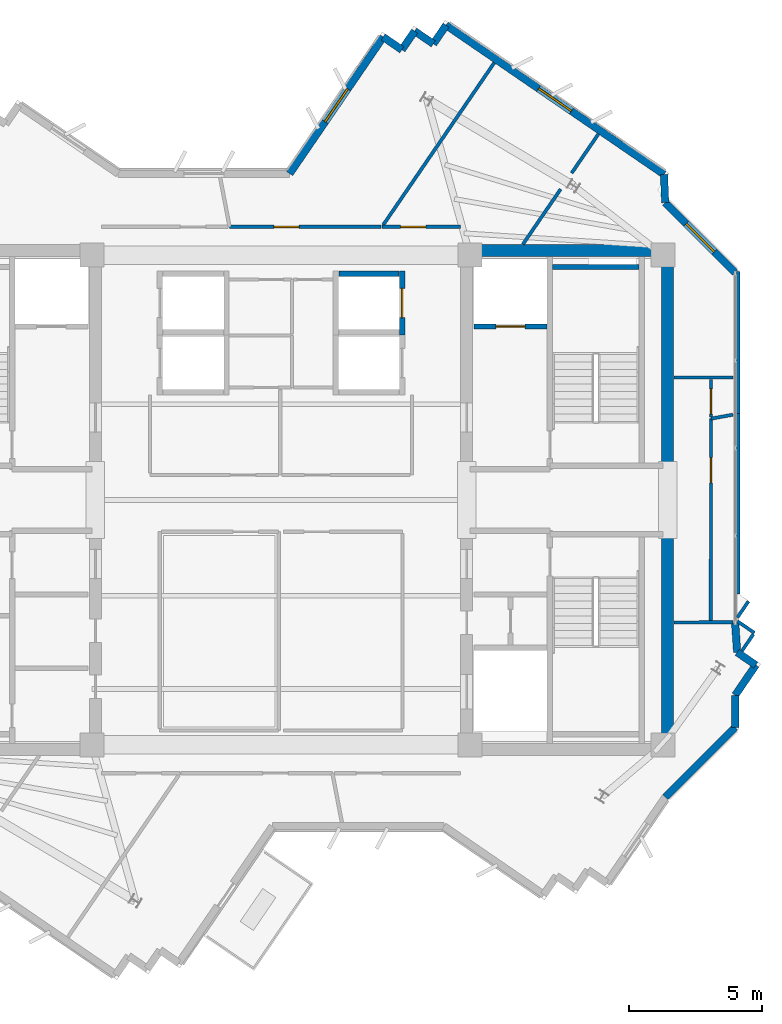
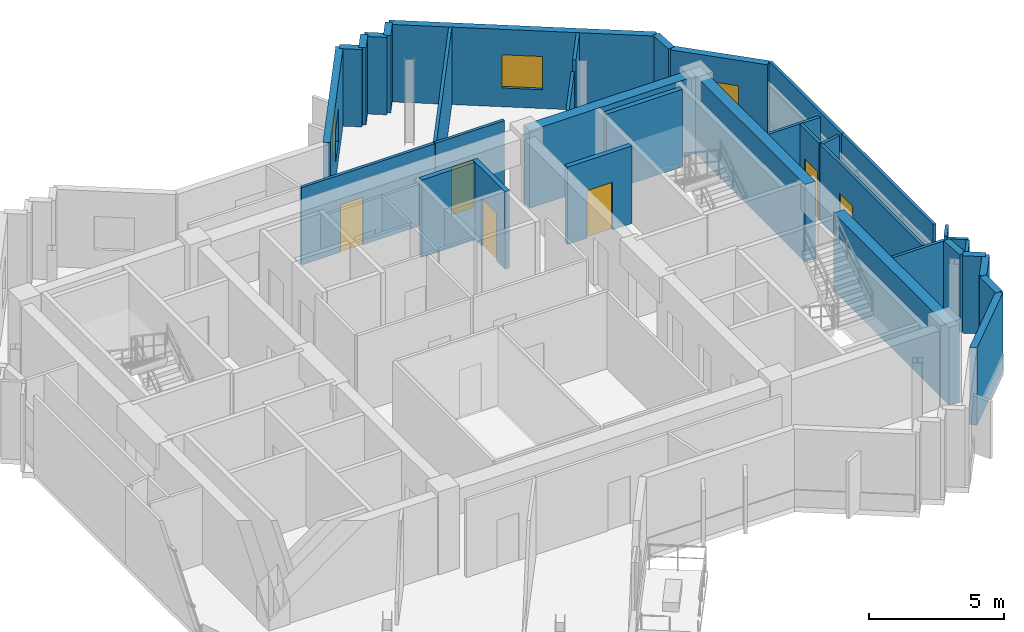
# One storey, part 8 of 11: 35 walls, 6 doors, 3 windows, 9 openings.
"""IFC4 building model written with IfcOpenShell, lengths in metres."""

from ifc_helpers import new_model, si_unit, direction, frame, frame_2d, origin, place, context, subcontext, project, spatial, rectangle, extrude, source, transform, mapped, material, layer, layer_set, type_object, element, fill, save


model = new_model("IFC4")

# Units and contexts
model_context = context("Model", 3, precision=1e-05, world=origin(), true_north=direction((0.0, 1.0)))
body_context = subcontext(model_context, "Body", "Model", "MODEL_VIEW")
ifc_project = project(units=[si_unit("LENGTHUNIT", "METRE"), si_unit("AREAUNIT", "SQUARE_METRE"), si_unit("VOLUMEUNIT", "CUBIC_METRE"), si_unit("PLANEANGLEUNIT", "RADIAN"), si_unit("MASSUNIT", "GRAM", prefix="KILO")], contexts=[model_context])

# Site, building, storey
site_placement = place(None, origin())
site = spatial("IfcSite", under=ifc_project, at=site_placement, CompositionType="ELEMENT")
building_placement = place(site_placement, origin())
building = spatial("IfcBuilding", under=site, at=building_placement, Name="Zahravan Cultural Tower", CompositionType="ELEMENT")
storey_placement = place(building_placement, frame((0.0, 0.0, 331.050048828125)))
storey = spatial("IfcBuildingStorey", under=building, at=storey_placement, Name="L80", CompositionType="ELEMENT", Elevation=331.050048828125)

# Wall, opening, window
ifc_material_1 = material(Name="Precast concrete C40/50", Category="concrete")
ifc_layer_1 = layer(ifc_material_1, 0.280029296875)
ifc_layer_set_1 = layer_set([ifc_layer_1], Name="Precast concrete C40/50")
wall_type_1 = type_object("IfcWallType", Name="EW-TC-280", PredefinedType="SOLIDWALL", material=ifc_layer_set_1)
wall_1_placement = place(storey_placement, frame((36.322998046875, 39.260009765625, 0.0), z_axis=(0.0, 0.0, 1.0), x_axis=(0.564953982519, 0.825122413728, 0.0)))
wall_1 = element("IfcWall", 1, at=wall_1_placement, inside=storey, type_object=wall_type_1, Name="L80 Exterior Masonry Frame Wall 14", PredefinedType="SOLIDWALL", context=body_context, shape_type="SweptSolid", body=[
    extrude(rectangle(XDim=6.221435546875, YDim=0.280029296875, at=frame_2d((3.11083984375, 0.0))), origin(), (0.0, 0.0, 1.0), 3.5),
])
opening_1_placement = place(wall_1_placement, frame((2.361083984375, 0.0, 0.85009765625)))
opening_1 = element("IfcOpeningElement", 2, at=opening_1_placement, cuts=wall_1, Name="Opening WN-03", PredefinedType="OPENING", context=body_context, shape_type="SweptSolid", body=[
    extrude(rectangle(XDim=1.5, YDim=1.5, at=frame_2d((0.75, 0.75))), frame((0.0, 0.14990234375, 0.0), z_axis=(0.0, -1.0, 0.0), x_axis=(1.0, 0.0, 0.0)), (0.0, 0.0, 1.0), 0.300048828125),
])
ifc_material_2 = material(Name="Low-E solar-control double glazing", Category="glass")
window_type = type_object("IfcWindowType", Name="WN-REC-1500X1500", PartitioningType="SINGLE_PANEL", PredefinedType="WINDOW", material=ifc_material_2)
shared_shape_1 = source(origin(), body_context, "Body", "SweptSolid", [
    extrude(rectangle(XDim=1.5, YDim=1.5, at=frame_2d((0.75, 0.75))), frame((0.0, 0.030029296875, 0.0), z_axis=(0.0, -1.0, 0.0), x_axis=(1.0, 0.0, 0.0)), (0.0, 0.0, 1.0), 0.06005859375),
])
window_1_placement = place(opening_1_placement, origin())
window_1 = element("IfcWindow", 3, at=window_1_placement, inside=storey, type_object=window_type, Name="L80 Recessed Solar Window 05", OverallHeight=1.5, OverallWidth=1.5, PartitioningType="SINGLE_PANEL", PredefinedType="WINDOW", context=body_context, shape_type="MappedRepresentation", body=[
    mapped(shared_shape_1, transform((0.0, 0.0, 0.0), x_axis=(1.0, 0.0, 0.0), y_axis=(0.0, 1.0, 0.0), z_axis=(0.0, 0.0, 1.0), scale=1.0)),
])
fill(opening_1, window_1)

wall_2_placement = place(storey_placement, frame((42.201171875, 44.835693359375, 0.0), z_axis=(0.0, 0.0, 1.0), x_axis=(0.825121888295, -0.56495474992, 0.0)))
wall_2 = element("IfcWall", 4, at=wall_2_placement, inside=storey, type_object=wall_type_1, Name="L80 Exterior Masonry Frame Wall 19", PredefinedType="SOLIDWALL", context=body_context, shape_type="SweptSolid", body=[
    extrude(rectangle(XDim=9.919921875, YDim=0.280029296875, at=frame_2d((4.9599609375, 0.0))), origin(), (0.0, 0.0, 1.0), 3.5),
])
opening_2_placement = place(wall_2_placement, frame((4.2099609375, 0.0, 0.85009765625)))
opening_2 = element("IfcOpeningElement", 5, at=opening_2_placement, cuts=wall_2, Name="Opening WN-03", PredefinedType="OPENING", context=body_context, shape_type="SweptSolid", body=[
    extrude(rectangle(XDim=1.5, YDim=1.5, at=frame_2d((0.75, 0.75))), frame((0.0, 0.14990234375, 0.0), z_axis=(0.0, -1.0, 0.0), x_axis=(1.0, 0.0, 0.0)), (0.0, 0.0, 1.0), 0.300048828125),
])
window_2_placement = place(opening_2_placement, origin())
window_2 = element("IfcWindow", 6, at=window_2_placement, inside=storey, type_object=window_type, Name="L80 Recessed Solar Window 06", OverallHeight=1.5, OverallWidth=1.5, PartitioningType="SINGLE_PANEL", PredefinedType="WINDOW", context=body_context, shape_type="MappedRepresentation", body=[
    mapped(shared_shape_1, transform((0.0, 0.0, 0.0), x_axis=(1.0, 0.0, 0.0), y_axis=(0.0, 1.0, 0.0), z_axis=(0.0, 0.0, 1.0), scale=1.0)),
])
fill(opening_2, window_2)

wall_3_placement = place(storey_placement, frame((50.432373046875, 38.169677734375, 0.0), z_axis=(0.0, 0.0, 1.0), x_axis=(0.707106781187, -0.707106781187, 0.0)))
wall_3 = element("IfcWall", 7, at=wall_3_placement, inside=storey, type_object=wall_type_1, Name="L80 Exterior Masonry Frame Wall 21", PredefinedType="SOLIDWALL", context=body_context, shape_type="SweptSolid", body=[
    extrude(rectangle(XDim=3.716064453125, YDim=0.280029296875, at=frame_2d((1.85791015625, 0.0))), origin(), (0.0, 0.0, 1.0), 3.5),
])
opening_3_placement = place(wall_3_placement, frame((1.10791015625, 0.0, 0.85009765625)))
opening_3 = element("IfcOpeningElement", 8, at=opening_3_placement, cuts=wall_3, Name="Opening WN-03", PredefinedType="OPENING", context=body_context, shape_type="SweptSolid", body=[
    extrude(rectangle(XDim=1.5, YDim=1.5, at=frame_2d((0.75, 0.75))), frame((0.0, 0.14990234375, 0.0), z_axis=(0.0, -1.0, 0.0), x_axis=(1.0, 0.0, 0.0)), (0.0, 0.0, 1.0), 0.300048828125),
])
window_3_placement = place(opening_3_placement, origin())
window_3 = element("IfcWindow", 9, at=window_3_placement, inside=storey, type_object=window_type, Name="L80 Recessed Solar Window 07", OverallHeight=1.5, OverallWidth=1.5, PartitioningType="SINGLE_PANEL", PredefinedType="WINDOW", context=body_context, shape_type="MappedRepresentation", body=[
    mapped(shared_shape_1, transform((0.0, 0.0, 0.0), x_axis=(1.0, 0.0, 0.0), y_axis=(0.0, 1.0, 0.0), z_axis=(0.0, 0.0, 1.0), scale=1.0)),
])
fill(opening_3, window_3)

# Wall, opening, door
ifc_material_3 = material(Name="Gypsum plasterboard partition")
ifc_layer_2 = layer(ifc_material_3, 0.125)
ifc_layer_set_2 = layer_set([ifc_layer_2], Name="Gypsum plasterboard partition")
wall_type_2 = type_object("IfcWallType", Name="W-PART-125", PredefinedType="PARTITIONING", material=ifc_layer_set_2)
wall_4_placement = place(storey_placement, frame((52.1474609375, 22.469970703125, 0.0), z_axis=(0.0, 0.0, 1.0), x_axis=(0.000321874581, 0.999999948198, 0.0)))
wall_4 = element("IfcWall", 10, at=wall_4_placement, inside=storey, type_object=wall_type_2, Name="L80 Interior Wall 056", PredefinedType="PARTITIONING", context=body_context, shape_type="SweptSolid", body=[
    extrude(rectangle(XDim=7.5849609375, YDim=0.125, at=frame_2d((3.79248046875, 0.0))), origin(), (0.0, 0.0, 1.0), 3.5),
])
opening_4_placement = place(wall_4_placement, frame((5.17529296875, 0.0, 0.0)))
opening_4 = element("IfcOpeningElement", 11, at=opening_4_placement, cuts=wall_4, Name="Opening D-L80-29", PredefinedType="OPENING", context=body_context, shape_type="SweptSolid", body=[
    extrude(rectangle(XDim=0.949951171875, YDim=2.14990234375, at=frame_2d((0.47509765625, 1.074951171875))), frame((0.0, 0.072509765625, 0.0), z_axis=(0.0, -1.0, 0.0), x_axis=(1.0, 0.0, 0.0)), (0.0, 0.0, 1.0), 0.14501953125),
])
ifc_material_4 = material(Name="Anodised bronze-aluminium mullion", Category="aluminium")
door_type_1 = type_object("IfcDoorType", Name="DR-ROOM-950", OperationType="NOTDEFINED", PredefinedType="DOOR", material=ifc_material_4)
shared_shape_2 = source(origin(), body_context, "Body", "SweptSolid", [
    extrude(rectangle(XDim=0.949951171875, YDim=2.14990234375, at=frame_2d((0.47509765625, 1.074951171875))), frame((0.0, 0.02490234375, 0.0), z_axis=(0.0, -1.0, 0.0), x_axis=(1.0, 0.0, 0.0)), (0.0, 0.0, 1.0), 0.050048828125),
])
door_1_placement = place(opening_4_placement, origin())
door_1 = element("IfcDoor", 12, at=door_1_placement, inside=storey, type_object=door_type_1, Name="L80 Door D-L80-29", OperationType="SINGLE_SWING_RIGHT", OverallHeight=2.14990234375, OverallWidth=0.949951171875, PredefinedType="DOOR", context=body_context, shape_type="MappedRepresentation", body=[
    mapped(shared_shape_2, transform((0.0, 0.0, 0.0), x_axis=(1.0, 0.0, 0.0), y_axis=(0.0, 1.0, 0.0), z_axis=(0.0, 0.0, 1.0), scale=1.0)),
])
fill(opening_4, door_1)

wall_5_placement = place(storey_placement, frame((52.14990234375, 30.12353515625, 0.0), z_axis=(0.0, 0.0, 1.0), x_axis=(-0.000520201074, 0.999999864695, 0.0)))
wall_5 = element("IfcWall", 13, at=wall_5_placement, inside=storey, type_object=wall_type_2, Name="L80 Interior Wall 078", PredefinedType="PARTITIONING", context=body_context, shape_type="SweptSolid", body=[
    extrude(rectangle(XDim=1.407958984375, YDim=0.125, at=frame_2d((0.7041015625, 0.0))), origin(), (0.0, 0.0, 1.0), 3.5),
])
opening_5_placement = place(wall_5_placement, frame((0.100830078125, 0.0, 0.0)))
opening_5 = element("IfcOpeningElement", 14, at=opening_5_placement, cuts=wall_5, Name="Opening D-L80-20", PredefinedType="OPENING", context=body_context, shape_type="SweptSolid", body=[
    extrude(rectangle(XDim=0.949951171875, YDim=2.14990234375, at=frame_2d((0.47509765625, 1.074951171875))), frame((0.0, 0.072509765625, 0.0), z_axis=(0.0, -1.0, 0.0), x_axis=(1.0, 0.0, 0.0)), (0.0, 0.0, 1.0), 0.14501953125),
])
door_2_placement = place(opening_5_placement, origin())
door_2 = element("IfcDoor", 15, at=door_2_placement, inside=storey, type_object=door_type_1, Name="L80 Door D-L80-20", OperationType="SINGLE_SWING_LEFT", OverallHeight=2.14990234375, OverallWidth=0.949951171875, PredefinedType="DOOR", context=body_context, shape_type="MappedRepresentation", body=[
    mapped(shared_shape_2, transform((0.0, 0.0, 0.0), x_axis=(1.0, 0.0, 0.0), y_axis=(0.0, 1.0, 0.0), z_axis=(0.0, 0.0, 1.0), scale=1.0)),
])
fill(opening_5, door_2)

wall_6_placement = place(storey_placement, frame((42.742431640625, 37.259765625, 0.0), z_axis=(0.0, 0.0, 1.0), x_axis=(-0.999999996583, 8.2671957e-05, 0.0)))
wall_6 = element("IfcWall", 16, at=wall_6_placement, inside=storey, type_object=wall_type_2, Name="L80 Interior Wall 079", PredefinedType="PARTITIONING", context=body_context, shape_type="SweptSolid", body=[
    extrude(rectangle(XDim=2.953125, YDim=0.125, at=frame_2d((1.4765625, 0.0))), origin(), (0.0, 0.0, 1.0), 3.5),
])
opening_6_placement = place(wall_6_placement, frame((1.302001953125, 0.0, 0.0)))
opening_6 = element("IfcOpeningElement", 17, at=opening_6_placement, cuts=wall_6, Name="Opening D-L80-21", PredefinedType="OPENING", context=body_context, shape_type="SweptSolid", body=[
    extrude(rectangle(XDim=0.949951171875, YDim=2.14990234375, at=frame_2d((0.47509765625, 1.074951171875))), frame((0.0, 0.072509765625, 0.0), z_axis=(0.0, -1.0, 0.0), x_axis=(1.0, 0.0, 0.0)), (0.0, 0.0, 1.0), 0.14501953125),
])
door_3_placement = place(opening_6_placement, origin())
door_3 = element("IfcDoor", 18, at=door_3_placement, inside=storey, type_object=door_type_1, Name="L80 Door D-L80-21", OperationType="SINGLE_SWING_RIGHT", OverallHeight=2.14990234375, OverallWidth=0.949951171875, PredefinedType="DOOR", context=body_context, shape_type="MappedRepresentation", body=[
    mapped(shared_shape_2, transform((0.0, 0.0, 0.0), x_axis=(1.0, 0.0, 0.0), y_axis=(0.0, 1.0, 0.0), z_axis=(0.0, 0.0, 1.0), scale=1.0)),
])
fill(opening_6, door_3)

wall_7_placement = place(storey_placement, frame((39.764892578125, 37.260009765625, 0.0), z_axis=(0.0, 0.0, 1.0), x_axis=(-1.0, 0.0, 0.0)))
wall_7 = element("IfcWall", 19, at=wall_7_placement, inside=storey, type_object=wall_type_2, Name="L80 Interior Wall 090", PredefinedType="PARTITIONING", context=body_context, shape_type="SweptSolid", body=[
    extrude(rectangle(XDim=5.696044921875, YDim=0.125, at=frame_2d((2.84814453125, 0.0))), origin(), (0.0, 0.0, 1.0), 3.5),
])
opening_7_placement = place(wall_7_placement, frame((3.0849609375, 0.0, 0.0)))
opening_7 = element("IfcOpeningElement", 20, at=opening_7_placement, cuts=wall_7, Name="Opening D-L80-22", PredefinedType="OPENING", context=body_context, shape_type="SweptSolid", body=[
    extrude(rectangle(XDim=0.949951171875, YDim=2.14990234375, at=frame_2d((0.47509765625, 1.074951171875))), frame((0.0, 0.072509765625, 0.0), z_axis=(0.0, -1.0, 0.0), x_axis=(1.0, 0.0, 0.0)), (0.0, 0.0, 1.0), 0.14501953125),
])
door_4_placement = place(opening_7_placement, origin())
door_4 = element("IfcDoor", 21, at=door_4_placement, inside=storey, type_object=door_type_1, Name="L80 Door D-L80-22", OperationType="SINGLE_SWING_LEFT", OverallHeight=2.14990234375, OverallWidth=0.949951171875, PredefinedType="DOOR", context=body_context, shape_type="MappedRepresentation", body=[
    mapped(shared_shape_2, transform((0.0, 0.0, 0.0), x_axis=(1.0, 0.0, 0.0), y_axis=(0.0, 1.0, 0.0), z_axis=(0.0, 0.0, 1.0), scale=1.0)),
])
fill(opening_7, door_4)

ifc_material_5 = material(Name="Concrete C45/55", Category="concrete")
ifc_layer_3 = layer(ifc_material_5, 0.199951171875)
ifc_layer_set_3 = layer_set([ifc_layer_3], Name="Concrete C45/55")
wall_type_3 = type_object("IfcWallType", Name="W-SHAFT-200", PredefinedType="SOLIDWALL", material=ifc_layer_set_3)
wall_8_placement = place(storey_placement, frame((43.25, 33.52001953125, 0.0), z_axis=(0.0, 0.0, 1.0), x_axis=(1.0, 0.0, 0.0)))
wall_8 = element("IfcWall", 22, at=wall_8_placement, inside=storey, type_object=wall_type_3, Name="L80 Interior Wall 023", PredefinedType="SOLIDWALL", context=body_context, shape_type="SweptSolid", body=[
    extrude(rectangle(XDim=2.75, YDim=0.199951171875, at=frame_2d((1.375, 0.0))), origin(), (0.0, 0.0, 1.0), 3.5),
])
opening_8_placement = place(wall_8_placement, frame((0.820068359375, 0.0, 0.0)))
opening_8 = element("IfcOpeningElement", 23, at=opening_8_placement, cuts=wall_8, Name="Opening LD-L80-02", PredefinedType="OPENING", context=body_context, shape_type="SweptSolid", body=[
    extrude(rectangle(XDim=1.10009765625, YDim=2.14990234375, at=frame_2d((0.550048828125, 1.074951171875))), frame((0.0, 0.10986328125, 0.0), z_axis=(0.0, -1.0, 0.0), x_axis=(1.0, 0.0, 0.0)), (0.0, 0.0, 1.0), 0.219970703125),
])
ifc_material_6 = material(Name="Steel ASTM A572 Grade 50", Category="steel")
door_type_2 = type_object("IfcDoorType", Name="DR-LIFT-1100", OperationType="DOUBLE_DOOR_SLIDING", PredefinedType="DOOR", material=ifc_material_6)
shared_shape_3 = source(origin(), body_context, "Body", "SweptSolid", [
    extrude(rectangle(XDim=1.10009765625, YDim=2.14990234375, at=frame_2d((0.550048828125, 1.074951171875))), frame((0.0, 0.02490234375, 0.0), z_axis=(0.0, -1.0, 0.0), x_axis=(1.0, 0.0, 0.0)), (0.0, 0.0, 1.0), 0.050048828125),
])
door_5_placement = place(opening_8_placement, origin())
door_5 = element("IfcDoor", 24, at=door_5_placement, inside=storey, type_object=door_type_2, Name="L80 Door LD-L80-02", OperationType="DOUBLE_DOOR_SLIDING", OverallHeight=2.14990234375, OverallWidth=1.10009765625, PredefinedType="DOOR", context=body_context, shape_type="MappedRepresentation", body=[
    mapped(shared_shape_3, transform((0.0, 0.0, 0.0), x_axis=(1.0, 0.0, 0.0), y_axis=(0.0, 1.0, 0.0), z_axis=(0.0, 0.0, 1.0), scale=1.0)),
])
fill(opening_8, door_5)

wall_9_placement = place(storey_placement, frame((40.550048828125, 33.199951171875, 0.0), z_axis=(0.0, 0.0, 1.0), x_axis=(0.0, 1.0, 0.0)))
wall_9 = element("IfcWall", 25, at=wall_9_placement, inside=storey, type_object=wall_type_3, Name="L80 Interior Wall 037", PredefinedType="SOLIDWALL", context=body_context, shape_type="SweptSolid", body=[
    extrude(rectangle(XDim=2.400146484375, YDim=0.199951171875, at=frame_2d((1.2001953125, 0.0))), origin(), (0.0, 0.0, 1.0), 3.5),
])
opening_9_placement = place(wall_9_placement, frame((0.64990234375, 0.0, 0.0)))
opening_9 = element("IfcOpeningElement", 26, at=opening_9_placement, cuts=wall_9, Name="Opening LD-L80-06", PredefinedType="OPENING", context=body_context, shape_type="SweptSolid", body=[
    extrude(rectangle(XDim=1.10009765625, YDim=2.14990234375, at=frame_2d((0.550048828125, 1.074951171875))), frame((0.0, 0.10986328125, 0.0), z_axis=(0.0, -1.0, 0.0), x_axis=(1.0, 0.0, 0.0)), (0.0, 0.0, 1.0), 0.219970703125),
])
door_6_placement = place(opening_9_placement, origin())
door_6 = element("IfcDoor", 27, at=door_6_placement, inside=storey, type_object=door_type_2, Name="L80 Door LD-L80-06", OperationType="DOUBLE_DOOR_SLIDING", OverallHeight=2.14990234375, OverallWidth=1.10009765625, PredefinedType="DOOR", context=body_context, shape_type="MappedRepresentation", body=[
    mapped(shared_shape_3, transform((0.0, 0.0, 0.0), x_axis=(1.0, 0.0, 0.0), y_axis=(0.0, 1.0, 0.0), z_axis=(0.0, 0.0, 1.0), scale=1.0)),
])
fill(opening_9, door_6)

# Walls
ifc_material_7 = material(Name="Concrete C50/60", Category="concrete")
ifc_layer_4 = layer(ifc_material_7, 0.449951171875)
ifc_layer_set_4 = layer_set([ifc_layer_4], Name="Concrete C50/60")
wall_type_4 = type_object("IfcWallType", Name="CW-SHEAR-450-C50", PredefinedType="SHEAR", material=ifc_layer_set_4)
shared_shape_4 = source(origin(), body_context, "Body", "SweptSolid", [
    extrude(rectangle(XDim=8.550048828125, YDim=0.449951171875, at=frame_2d((4.27490234375, 0.0))), origin(), (0.0, 0.0, 1.0), 3.5),
])
for number, where, z_axis, x_axis, name in (
    (28, (50.52490234375, 17.39990234375, 0.0), (0.0, 0.0, 1.0), (0.0, 1.0, 0.0), "L80 Core Shear Wall CW-E-ES-L80"),
    (29, (50.52490234375, 28.050048828125, 0.0), (0.0, 0.0, 1.0), (0.0, 1.0, 0.0), "L80 Core Shear Wall CW-E-EN-L80"),
):
    element("IfcWall", number, at=place(storey_placement, frame(where, z_axis=z_axis, x_axis=x_axis)), inside=storey, type_object=wall_type_4, Name=name, PredefinedType="SHEAR", context=body_context, shape_type="MappedRepresentation", body=[
        mapped(shared_shape_4, transform((0.0, 0.0, 0.0), x_axis=(1.0, 0.0, 0.0), y_axis=(0.0, 1.0, 0.0), z_axis=(0.0, 0.0, 1.0), scale=1.0)),
    ])
shared_shape_5 = source(origin(), body_context, "Body", "SweptSolid", [
    extrude(rectangle(XDim=7.10009765625, YDim=0.449951171875, at=frame_2d((3.550048828125, 0.0))), origin(), (0.0, 0.0, 1.0), 3.5),
])
wall_10_placement = place(storey_placement, frame((43.199951171875, 36.375, 0.0), z_axis=(0.0, 0.0, 1.0), x_axis=(1.0, 0.0, 0.0)))
element("IfcWall", 30, at=wall_10_placement, inside=storey, type_object=wall_type_4, Name="L80 Core Shear Wall CW-E-N-L80", PredefinedType="SHEAR", context=body_context, shape_type="MappedRepresentation", body=[
    mapped(shared_shape_5, transform((0.0, 0.0, 0.0), x_axis=(1.0, 0.0, 0.0), y_axis=(0.0, 1.0, 0.0), z_axis=(0.0, 0.0, 1.0), scale=1.0)),
])
shared_shape_6 = source(origin(), body_context, "Body", "SweptSolid", [
    extrude(rectangle(XDim=0.85009765625, YDim=0.280029296875, at=frame_2d((0.425048828125, 0.0))), origin(), (0.0, 0.0, 1.0), 3.5),
])
for number, where, z_axis, x_axis, name in (
    (31, (39.837890625, 44.3935546875, 0.0), (0.0, 0.0, 1.0), (0.825138153006, -0.564930994418, 0.0), "L80 Exterior Masonry Frame Wall 15"),
    (32, (40.539306640625, 43.913330078125, 0.0), (0.0, 0.0, 1.0), (0.564930994418, 0.825138153006, 0.0), "L80 Exterior Masonry Frame Wall 16"),
    (33, (41.01953125, 44.61474609375, 0.0), (0.0, 0.0, 1.0), (0.825138153006, -0.564930994418, 0.0), "L80 Exterior Masonry Frame Wall 17"),
):
    element("IfcWall", number, at=place(storey_placement, frame(where, z_axis=z_axis, x_axis=x_axis)), inside=storey, type_object=wall_type_1, Name=name, PredefinedType="SOLIDWALL", context=body_context, shape_type="MappedRepresentation", body=[
        mapped(shared_shape_6, transform((0.0, 0.0, 0.0), x_axis=(1.0, 0.0, 0.0), y_axis=(0.0, 1.0, 0.0), z_axis=(0.0, 0.0, 1.0), scale=1.0)),
    ])
shared_shape_7 = source(origin(), body_context, "Body", "SweptSolid", [
    extrude(rectangle(XDim=0.849853515625, YDim=0.280029296875, at=frame_2d((0.4248046875, 0.0))), origin(), (0.0, 0.0, 1.0), 3.5),
])
for number, where, z_axis, x_axis, name in (
    (34, (41.720947265625, 44.134521484375, 0.0), (0.0, 0.0, 1.0), (0.565064897913, 0.825046459993, 0.0), "L80 Exterior Masonry Frame Wall 18"),
    (35, (53.134521484375, 21.279052734375, 0.0), (0.0, 0.0, 1.0), (0.825046459993, -0.565064897913, 0.0), "L80 Exterior Masonry Frame Wall 23"),
):
    element("IfcWall", number, at=place(storey_placement, frame(where, z_axis=z_axis, x_axis=x_axis)), inside=storey, type_object=wall_type_1, Name=name, PredefinedType="SOLIDWALL", context=body_context, shape_type="MappedRepresentation", body=[
        mapped(shared_shape_7, transform((0.0, 0.0, 0.0), x_axis=(1.0, 0.0, 0.0), y_axis=(0.0, 1.0, 0.0), z_axis=(0.0, 0.0, 1.0), scale=1.0)),
    ])
shared_shape_8 = source(origin(), body_context, "Body", "SweptSolid", [
    extrude(rectangle(XDim=1.08349609375, YDim=0.280029296875, at=frame_2d((0.541748046875, 0.0))), origin(), (0.0, 0.0, 1.0), 3.5),
])
wall_11_placement = place(storey_placement, frame((53.06005859375, 22.360107421875, 0.0), z_axis=(0.0, 0.0, 1.0), x_axis=(0.068717036618, -0.997636190642, 0.0)))
element("IfcWall", 36, at=wall_11_placement, inside=storey, type_object=wall_type_1, Name="L80 Exterior Masonry Frame Wall 22", PredefinedType="SOLIDWALL", context=body_context, shape_type="MappedRepresentation", body=[
    mapped(shared_shape_8, transform((0.0, 0.0, 0.0), x_axis=(1.0, 0.0, 0.0), y_axis=(0.0, 1.0, 0.0), z_axis=(0.0, 0.0, 1.0), scale=1.0)),
])
shared_shape_9 = source(origin(), body_context, "Body", "SweptSolid", [
    extrude(rectangle(XDim=1.373046875, YDim=0.280029296875, at=frame_2d((0.6865234375, 0.0))), origin(), (0.0, 0.0, 1.0), 3.5),
])
wall_12_placement = place(storey_placement, frame((53.835693359375, 20.798828125, 0.0), z_axis=(0.0, 0.0, 1.0), x_axis=(-0.564875120833, -0.825176404088, 0.0)))
element("IfcWall", 37, at=wall_12_placement, inside=storey, type_object=wall_type_1, Name="L80 Exterior Masonry Frame Wall 24", PredefinedType="SOLIDWALL", context=body_context, shape_type="MappedRepresentation", body=[
    mapped(shared_shape_9, transform((0.0, 0.0, 0.0), x_axis=(1.0, 0.0, 0.0), y_axis=(0.0, 1.0, 0.0), z_axis=(0.0, 0.0, 1.0), scale=1.0)),
])
shared_shape_10 = source(origin(), body_context, "Body", "SweptSolid", [
    extrude(rectangle(XDim=1.207763671875, YDim=0.280029296875, at=frame_2d((0.60400390625, 0.0))), origin(), (0.0, 0.0, 1.0), 3.5),
])
wall_13_placement = place(storey_placement, frame((53.06005859375, 19.665771484375, 0.0), z_axis=(0.0, 0.0, 1.0), x_axis=(0.0, -1.0, 0.0)))
element("IfcWall", 38, at=wall_13_placement, inside=storey, type_object=wall_type_1, Name="L80 Exterior Masonry Frame Wall 25", PredefinedType="SOLIDWALL", context=body_context, shape_type="MappedRepresentation", body=[
    mapped(shared_shape_10, transform((0.0, 0.0, 0.0), x_axis=(1.0, 0.0, 0.0), y_axis=(0.0, 1.0, 0.0), z_axis=(0.0, 0.0, 1.0), scale=1.0)),
])
shared_shape_11 = source(origin(), body_context, "Body", "SweptSolid", [
    extrude(rectangle(XDim=3.70947265625, YDim=0.280029296875, at=frame_2d((1.854736328125, 0.0))), origin(), (0.0, 0.0, 1.0), 3.5),
])
wall_14_placement = place(storey_placement, frame((53.06005859375, 18.4580078125, 0.0), z_axis=(0.0, 0.0, 1.0), x_axis=(-0.707106781187, -0.707106781187, 0.0)))
element("IfcWall", 39, at=wall_14_placement, inside=storey, type_object=wall_type_1, Name="L80 Exterior Masonry Frame Wall 26", PredefinedType="SOLIDWALL", context=body_context, shape_type="MappedRepresentation", body=[
    mapped(shared_shape_11, transform((0.0, 0.0, 0.0), x_axis=(1.0, 0.0, 0.0), y_axis=(0.0, 1.0, 0.0), z_axis=(0.0, 0.0, 1.0), scale=1.0)),
])
shared_shape_12 = source(origin(), body_context, "Body", "SweptSolid", [
    extrude(rectangle(XDim=1.062744140625, YDim=0.280029296875, at=frame_2d((0.53125, 0.0))), origin(), (0.0, 0.0, 1.0), 3.5),
])
wall_15_placement = place(storey_placement, frame((50.38623046875, 39.2314453125, 0.0), z_axis=(0.0, 0.0, 1.0), x_axis=(0.043417286211, -0.999057025028, 0.0)))
element("IfcWall", 40, at=wall_15_placement, inside=storey, type_object=wall_type_1, Name="L80 Exterior Masonry Frame Wall 20", PredefinedType="SOLIDWALL", context=body_context, shape_type="MappedRepresentation", body=[
    mapped(shared_shape_12, transform((0.0, 0.0, 0.0), x_axis=(1.0, 0.0, 0.0), y_axis=(0.0, 1.0, 0.0), z_axis=(0.0, 0.0, 1.0), scale=1.0)),
])
shared_shape_13 = source(origin(), body_context, "Body", "SweptSolid", [
    extrude(rectangle(XDim=3.25, YDim=0.199951171875, at=frame_2d((1.625, 0.0))), origin(), (0.0, 0.0, 1.0), 3.5),
])
wall_16_placement = place(storey_placement, frame((46.199951171875, 35.75, 0.0), z_axis=(0.0, 0.0, 1.0), x_axis=(1.0, 0.0, 0.0)))
element("IfcWall", 41, at=wall_16_placement, inside=storey, type_object=wall_type_3, Name="L80 Interior Wall 018", PredefinedType="SOLIDWALL", context=body_context, shape_type="MappedRepresentation", body=[
    mapped(shared_shape_13, transform((0.0, 0.0, 0.0), x_axis=(1.0, 0.0, 0.0), y_axis=(0.0, 1.0, 0.0), z_axis=(0.0, 0.0, 1.0), scale=1.0)),
])
shared_shape_14 = source(origin(), body_context, "Body", "SweptSolid", [
    extrude(rectangle(XDim=2.260009765625, YDim=0.199951171875, at=frame_2d((1.1298828125, 0.0))), origin(), (0.0, 0.0, 1.0), 3.5),
])
wall_17_placement = place(storey_placement, frame((38.169921875, 35.5, 0.0), z_axis=(0.0, 0.0, 1.0), x_axis=(1.0, 0.0, 0.0)))
element("IfcWall", 42, at=wall_17_placement, inside=storey, type_object=wall_type_3, Name="L80 Interior Wall 039", PredefinedType="SOLIDWALL", context=body_context, shape_type="MappedRepresentation", body=[
    mapped(shared_shape_14, transform((0.0, 0.0, 0.0), x_axis=(1.0, 0.0, 0.0), y_axis=(0.0, 1.0, 0.0), z_axis=(0.0, 0.0, 1.0), scale=1.0)),
])
shared_shape_15 = source(origin(), body_context, "Body", "SweptSolid", [
    extrude(rectangle(XDim=2.22265625, YDim=0.125, at=frame_2d((1.111328125, 0.0))), origin(), (0.0, 0.0, 1.0), 3.5),
])
for number, where, z_axis, x_axis, name in (
    (43, (50.7548828125, 22.400146484375, 0.0), (0.0, 0.0, 1.0), (0.999998642665, 0.00164762518, 0.0), "L80 Interior Wall 055"),
    (44, (52.9775390625, 31.598388671875, 0.0), (0.0, 0.0, 1.0), (-0.999999704402, 0.000768892567, 0.0), "L80 Interior Wall 074"),
):
    element("IfcWall", number, at=place(storey_placement, frame(where, z_axis=z_axis, x_axis=x_axis)), inside=storey, type_object=wall_type_2, Name=name, PredefinedType="PARTITIONING", context=body_context, shape_type="MappedRepresentation", body=[
        mapped(shared_shape_15, transform((0.0, 0.0, 0.0), x_axis=(1.0, 0.0, 0.0), y_axis=(0.0, 1.0, 0.0), z_axis=(0.0, 0.0, 1.0), scale=1.0)),
    ])
shared_shape_16 = source(origin(), body_context, "Body", "SweptSolid", [
    extrude(rectangle(XDim=0.8359375, YDim=0.125, at=frame_2d((0.41796875, 0.0))), origin(), (0.0, 0.0, 1.0), 3.5),
])
wall_18_placement = place(storey_placement, frame((52.14990234375, 30.054931640625, 0.0), z_axis=(0.0, 0.0, 1.0), x_axis=(0.983949253333, 0.178448499195, 0.0)))
element("IfcWall", 45, at=wall_18_placement, inside=storey, type_object=wall_type_2, Name="L80 Interior Wall 057", PredefinedType="PARTITIONING", context=body_context, shape_type="MappedRepresentation", body=[
    mapped(shared_shape_16, transform((0.0, 0.0, 0.0), x_axis=(1.0, 0.0, 0.0), y_axis=(0.0, 1.0, 0.0), z_axis=(0.0, 0.0, 1.0), scale=1.0)),
])
shared_shape_17 = source(origin(), body_context, "Body", "SweptSolid", [
    extrude(rectangle(XDim=6.776611328125, YDim=0.125, at=frame_2d((3.38818359375, 0.0))), origin(), (0.0, 0.0, 1.0), 3.5),
])
wall_19_placement = place(storey_placement, frame((53.179931640625, 30.24169921875, 0.0), z_axis=(0.0, 0.0, 1.0), x_axis=(7.2053896e-05, -0.999999997404, 0.0)))
element("IfcWall", 46, at=wall_19_placement, inside=storey, type_object=wall_type_2, Name="L80 Interior Wall 058", PredefinedType="PARTITIONING", context=body_context, shape_type="MappedRepresentation", body=[
    mapped(shared_shape_17, transform((0.0, 0.0, 0.0), x_axis=(1.0, 0.0, 0.0), y_axis=(0.0, 1.0, 0.0), z_axis=(0.0, 0.0, 1.0), scale=1.0)),
])
shared_shape_18 = source(origin(), body_context, "Body", "SweptSolid", [
    extrude(rectangle(XDim=0.738037109375, YDim=0.125, at=frame_2d((0.369140625, 0.0))), origin(), (0.0, 0.0, 1.0), 3.5),
])
wall_20_placement = place(storey_placement, frame((53.560302734375, 23.193115234375, 0.0), z_axis=(0.0, 0.0, 1.0), x_axis=(-0.563069892808, -0.826409278634, 0.0)))
element("IfcWall", 47, at=wall_20_placement, inside=storey, type_object=wall_type_2, Name="L80 Interior Wall 059", PredefinedType="PARTITIONING", context=body_context, shape_type="MappedRepresentation", body=[
    mapped(shared_shape_18, transform((0.0, 0.0, 0.0), x_axis=(1.0, 0.0, 0.0), y_axis=(0.0, 1.0, 0.0), z_axis=(0.0, 0.0, 1.0), scale=1.0)),
])
shared_shape_19 = source(origin(), body_context, "Body", "SweptSolid", [
    extrude(rectangle(XDim=0.7734375, YDim=0.125, at=frame_2d((0.38671875, 0.0))), origin(), (0.0, 0.0, 1.0), 3.5),
])
wall_21_placement = place(storey_placement, frame((53.143310546875, 22.448486328125, 0.0), z_axis=(0.0, 0.0, 1.0), x_axis=(0.825237562889, -0.56478576894, 0.0)))
element("IfcWall", 48, at=wall_21_placement, inside=storey, type_object=wall_type_2, Name="L80 Interior Wall 060", PredefinedType="PARTITIONING", context=body_context, shape_type="MappedRepresentation", body=[
    mapped(shared_shape_19, transform((0.0, 0.0, 0.0), x_axis=(1.0, 0.0, 0.0), y_axis=(0.0, 1.0, 0.0), z_axis=(0.0, 0.0, 1.0), scale=1.0)),
])
shared_shape_20 = source(origin(), body_context, "Body", "SweptSolid", [
    extrude(rectangle(XDim=0.75732421875, YDim=0.125, at=frame_2d((0.378662109375, 0.0))), origin(), (0.0, 0.0, 1.0), 3.5),
])
wall_22_placement = place(storey_placement, frame((53.743408203125, 21.9560546875, 0.0), z_axis=(0.0, 0.0, 1.0), x_axis=(-0.564406554972, -0.825496965896, 0.0)))
element("IfcWall", 49, at=wall_22_placement, inside=storey, type_object=wall_type_2, Name="L80 Interior Wall 061", PredefinedType="PARTITIONING", context=body_context, shape_type="MappedRepresentation", body=[
    mapped(shared_shape_20, transform((0.0, 0.0, 0.0), x_axis=(1.0, 0.0, 0.0), y_axis=(0.0, 1.0, 0.0), z_axis=(0.0, 0.0, 1.0), scale=1.0)),
])
shared_shape_21 = source(origin(), body_context, "Body", "SweptSolid", [
    extrude(rectangle(XDim=2.5107421875, YDim=0.125, at=frame_2d((1.25537109375, 0.0))), origin(), (0.0, 0.0, 1.0), 3.5),
])
wall_23_placement = place(storey_placement, frame((45.08544921875, 36.60498046875, 0.0), z_axis=(0.0, 0.0, 1.0), x_axis=(0.564980194272, 0.825104466162, 0.0)))
element("IfcWall", 50, at=wall_23_placement, inside=storey, type_object=wall_type_2, Name="L80 Interior Wall 075", PredefinedType="PARTITIONING", context=body_context, shape_type="MappedRepresentation", body=[
    mapped(shared_shape_21, transform((0.0, 0.0, 0.0), x_axis=(1.0, 0.0, 0.0), y_axis=(0.0, 1.0, 0.0), z_axis=(0.0, 0.0, 1.0), scale=1.0)),
])
shared_shape_22 = source(origin(), body_context, "Body", "SweptSolid", [
    extrude(rectangle(XDim=1.775146484375, YDim=0.125, at=frame_2d((0.8876953125, 0.0))), origin(), (0.0, 0.0, 1.0), 3.5),
])
wall_24_placement = place(storey_placement, frame((46.916748046875, 39.27978515625, 0.0), z_axis=(0.0, 0.0, 1.0), x_axis=(0.56509798207, 0.825023800057, 0.0)))
element("IfcWall", 51, at=wall_24_placement, inside=storey, type_object=wall_type_2, Name="L80 Interior Wall 076", PredefinedType="PARTITIONING", context=body_context, shape_type="MappedRepresentation", body=[
    mapped(shared_shape_22, transform((0.0, 0.0, 0.0), x_axis=(1.0, 0.0, 0.0), y_axis=(0.0, 1.0, 0.0), z_axis=(0.0, 0.0, 1.0), scale=1.0)),
])
shared_shape_23 = source(origin(), body_context, "Body", "SweptSolid", [
    extrude(rectangle(XDim=5.35009765625, YDim=0.125, at=frame_2d((2.675048828125, 0.0))), origin(), (0.0, 0.0, 1.0), 3.5),
])
wall_25_placement = place(storey_placement, frame((53.179931640625, 35.591796875, 0.0), z_axis=(0.0, 0.0, 1.0), x_axis=(0.0, -1.0, 0.0)))
element("IfcWall", 52, at=wall_25_placement, inside=storey, type_object=wall_type_2, Name="L80 Interior Wall 077", PredefinedType="PARTITIONING", context=body_context, shape_type="MappedRepresentation", body=[
    mapped(shared_shape_23, transform((0.0, 0.0, 0.0), x_axis=(1.0, 0.0, 0.0), y_axis=(0.0, 1.0, 0.0), z_axis=(0.0, 0.0, 1.0), scale=1.0)),
])
shared_shape_24 = source(origin(), body_context, "Body", "SweptSolid", [
    extrude(rectangle(XDim=7.386962890625, YDim=0.125, at=frame_2d((3.693359375, 0.0))), origin(), (0.0, 0.0, 1.0), 3.5),
])
wall_26_placement = place(storey_placement, frame((39.83544921875, 37.327392578125, 0.0), z_axis=(0.0, 0.0, 1.0), x_axis=(0.564969427755, 0.8251118383, 0.0)))
element("IfcWall", 53, at=wall_26_placement, inside=storey, type_object=wall_type_2, Name="L80 Interior Wall 080", PredefinedType="PARTITIONING", context=body_context, shape_type="MappedRepresentation", body=[
    mapped(shared_shape_24, transform((0.0, 0.0, 0.0), x_axis=(1.0, 0.0, 0.0), y_axis=(0.0, 1.0, 0.0), z_axis=(0.0, 0.0, 1.0), scale=1.0)),
])

save(model, "model.ifc")
